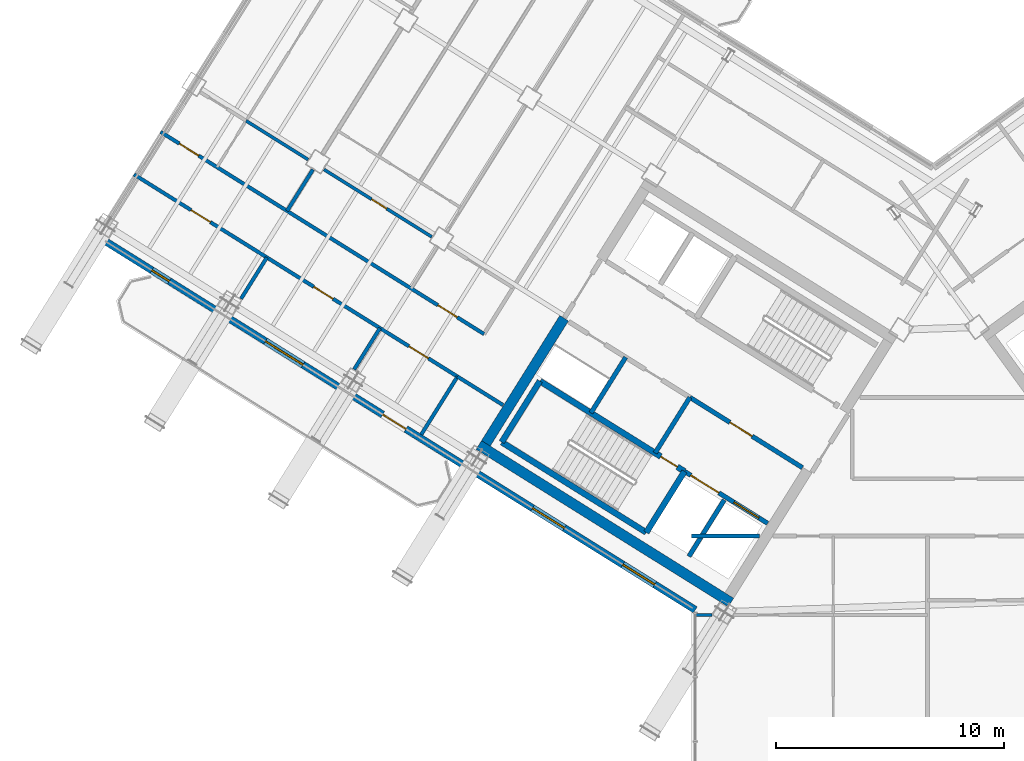
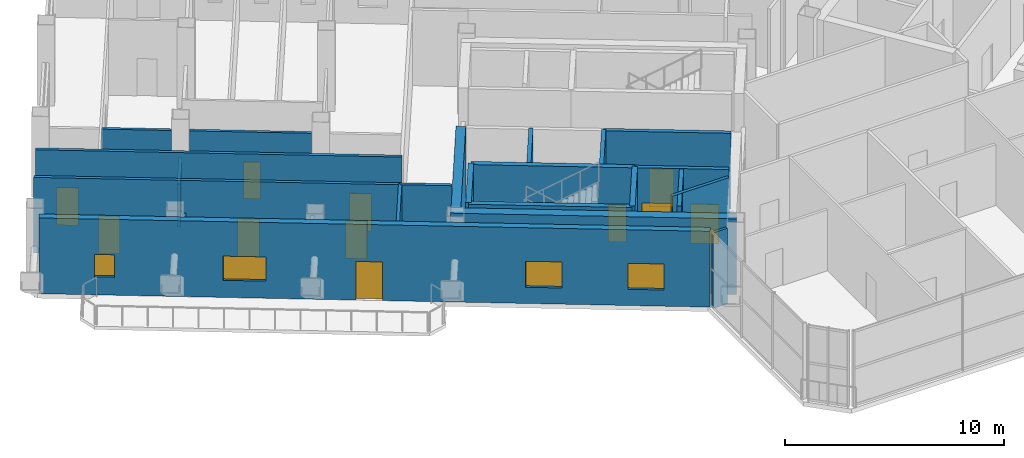
# One storey, part 22 of 34: 23 walls, 11 doors, 4 windows, 15 openings.
"""IFC4 building model written with IfcOpenShell, lengths in metres."""

from ifc_helpers import new_model, si_unit, direction, frame, frame_2d, origin, place, context, subcontext, project, spatial, rectangle, extrude, source, transform, mapped, material, layer, layer_set, type_object, element, fill, save


model = new_model("IFC4")

# Units and contexts
model_context = context("Model", 3, precision=1e-05, world=origin(), true_north=direction((0.0, 1.0)))
body_context = subcontext(model_context, "Body", "Model", "MODEL_VIEW")
ifc_project = project(units=[si_unit("LENGTHUNIT", "METRE"), si_unit("AREAUNIT", "SQUARE_METRE"), si_unit("VOLUMEUNIT", "CUBIC_METRE"), si_unit("PLANEANGLEUNIT", "RADIAN"), si_unit("MASSUNIT", "GRAM", prefix="KILO")], contexts=[model_context])

# Site, building, storey
site_placement = place(None, origin())
site = spatial("IfcSite", under=ifc_project, at=site_placement, CompositionType="ELEMENT")
building_placement = place(site_placement, origin())
building = spatial("IfcBuilding", under=site, at=building_placement, Name="Tlacorven Tower", CompositionType="ELEMENT")
storey_placement = place(building_placement, frame((0.0, 0.0, 229.199951171875)))
storey = spatial("IfcBuildingStorey", under=building, at=storey_placement, Name="L58", CompositionType="ELEMENT", Elevation=229.199951171875)

# Walls
ifc_material_1 = material(Name="Concrete C50/60", Category="concrete")
ifc_layer_1 = layer(ifc_material_1, 0.449951171875)
ifc_layer_set_1 = layer_set([ifc_layer_1], Name="Concrete C50/60")
wall_type_1 = type_object("IfcWallType", Name="WL-COR-450", PredefinedType="SHEAR", material=ifc_layer_set_1)
wall_1_placement = place(storey_placement, frame((33.32373046875, 12.5029296875, 0.0), z_axis=(0.0, 0.0, 1.0), x_axis=(-0.848043529849, 0.529926571782, 0.0)))
element("IfcWall", 1, at=wall_1_placement, inside=storey, type_object=wall_type_1, Name="L58 W core shear wall S2", PredefinedType="SHEAR", context=body_context, shape_type="SweptSolid", body=[
    extrude(rectangle(XDim=13.039794921875, YDim=0.449951171875, at=frame_2d((6.52001953125, 0.0))), origin(), (0.0, 0.0, 1.0), 4.219970703125),
])
wall_2_placement = place(storey_placement, frame((26.006591796875, 24.975830078125, 0.0), z_axis=(0.0, 0.0, 1.0), x_axis=(-0.529931155655, -0.848040665456, 0.0)))
element("IfcWall", 2, at=wall_2_placement, inside=storey, type_object=wall_type_1, Name="L58 W core end wall E2.2", PredefinedType="SHEAR", context=body_context, shape_type="SweptSolid", body=[
    extrude(rectangle(XDim=6.47509765625, YDim=0.449951171875, at=frame_2d((3.237548828125, 0.0))), origin(), (0.0, 0.0, 1.0), 4.219970703125),
])
ifc_material_2 = material(Name="Gypsum plasterboard acoustic partition", Category="gypsum")
ifc_layer_2 = layer(ifc_material_2, 0.159912109375)
ifc_layer_set_2 = layer_set([ifc_layer_2], Name="Gypsum plasterboard acoustic partition")
wall_type_2 = type_object("IfcWallType", Name="WL-DEM-160", PredefinedType="PARTITIONING", material=ifc_layer_set_2)
wall_3_placement = place(storey_placement, frame((23.32861328125, 21.166015625, 0.0), z_axis=(0.0, 0.0, 1.0), x_axis=(-0.848033204961, 0.529943094382, 0.0)))
element("IfcWall", 3, at=wall_3_placement, inside=storey, type_object=wall_type_2, Name="L58 partition 37", PredefinedType="PARTITIONING", context=body_context, shape_type="SweptSolid", body=[
    extrude(rectangle(XDim=2.35791015625, YDim=0.159912109375, at=frame_2d((1.178955078125, 0.0))), origin(), (0.0, 0.0, 1.0), 4.2099609375),
])
wall_4_placement = place(storey_placement, frame((21.3291015625, 22.41552734375, 0.0), z_axis=(0.0, 0.0, 1.0), x_axis=(-0.529933104572, -0.848039447596, 0.0)))
element("IfcWall", 4, at=wall_4_placement, inside=storey, type_object=wall_type_2, Name="L58 partition 39", PredefinedType="PARTITIONING", context=body_context, shape_type="SweptSolid", body=[
    extrude(rectangle(XDim=3.0, YDim=0.159912109375, at=frame_2d((1.5, 0.0))), origin(), (0.0, 0.0, 1.0), 4.2099609375),
])

# Wall, openings, doors
wall_5_placement = place(storey_placement, frame((22.494873046875, 24.28125, 0.0), z_axis=(0.0, 0.0, 1.0), x_axis=(-0.848052408131, 0.529912363569, 0.0)))
wall_5 = element("IfcWall", 5, at=wall_5_placement, inside=storey, type_object=wall_type_2, Name="L58 Wing W Corridor South Wall", PredefinedType="PARTITIONING", context=body_context, shape_type="SweptSolid", body=[
    extrude(rectangle(XDim=16.72998046875, YDim=0.159912109375, at=frame_2d((8.364990234375, 0.0))), origin(), (0.0, 0.0, 1.0), 4.2099609375),
])
opening_1_placement = place(wall_5_placement, frame((1.385009765625, 0.0, 0.0)))
opening_1 = element("IfcOpeningElement", 6, at=opening_1_placement, cuts=wall_5, Name="Opening D11", PredefinedType="OPENING", context=body_context, shape_type="SweptSolid", body=[
    extrude(rectangle(XDim=1.0, YDim=2.10009765625, at=frame_2d((0.5, 1.050048828125))), frame((0.0, 0.08984375, 0.0), z_axis=(0.0, -1.0, 0.0), x_axis=(1.0, 0.0, 0.0)), (0.0, 0.0, 1.0), 0.179931640625),
])
opening_2_placement = place(wall_5_placement, frame((14.760009765625, 0.0, 0.0)))
opening_2 = element("IfcOpeningElement", 7, at=opening_2_placement, cuts=wall_5, Name="Opening D11", PredefinedType="OPENING", context=body_context, shape_type="SweptSolid", body=[
    extrude(rectangle(XDim=1.0, YDim=2.10009765625, at=frame_2d((0.5, 1.050048828125))), frame((0.0, 0.08984375, 0.0), z_axis=(0.0, -1.0, 0.0), x_axis=(1.0, 0.0, 0.0)), (0.0, 0.0, 1.0), 0.179931640625),
])
ifc_material_3 = material(Name="Fire-rated steel door assembly", Category="steel")
door_type_1 = type_object("IfcDoorType", Name="DR-FLT-FD60-1000", OperationType="NOTDEFINED", PredefinedType="DOOR", material=ifc_material_3)
shared_shape_1 = source(origin(), body_context, "Body", "SweptSolid", [
    extrude(rectangle(XDim=1.0, YDim=2.10009765625, at=frame_2d((0.5, 1.050048828125))), frame((0.0, 0.02490234375, 0.0), z_axis=(0.0, -1.0, 0.0), x_axis=(1.0, 0.0, 0.0)), (0.0, 0.0, 1.0), 0.050048828125),
])
door_1_placement = place(opening_1_placement, origin())
door_1 = element("IfcDoor", 8, at=door_1_placement, inside=storey, type_object=door_type_1, Name="L58 door 024", OperationType="SINGLE_SWING_LEFT", OverallHeight=2.10009765625, OverallWidth=1.0, PredefinedType="DOOR", context=body_context, shape_type="MappedRepresentation", body=[
    mapped(shared_shape_1, transform((0.0, 0.0, 0.0), scale=1.0)),
])
fill(opening_1, door_1)
door_2_placement = place(opening_2_placement, origin())
door_2 = element("IfcDoor", 9, at=door_2_placement, inside=storey, type_object=door_type_1, Name="L58 door 032", OperationType="SINGLE_SWING_LEFT", OverallHeight=2.10009765625, OverallWidth=1.0, PredefinedType="DOOR", context=body_context, shape_type="MappedRepresentation", body=[
    mapped(shared_shape_1, transform((0.0, 0.0, 0.0), scale=1.0)),
])
fill(opening_2, door_2)

wall_6_placement = place(storey_placement, frame((21.3291015625, 22.41552734375, 0.0), z_axis=(0.0, 0.0, 1.0), x_axis=(-0.848052408131, 0.529912363569, 0.0)))
wall_6 = element("IfcWall", 10, at=wall_6_placement, inside=storey, type_object=wall_type_2, Name="L58 Wing W Corridor North Wall", PredefinedType="PARTITIONING", context=body_context, shape_type="SweptSolid", body=[
    extrude(rectangle(XDim=16.72998046875, YDim=0.159912109375, at=frame_2d((8.364990234375, 0.0))), origin(), (0.0, 0.0, 1.0), 4.2099609375),
])
opening_3_placement = place(wall_6_placement, frame((1.5048828125, 0.0, 0.0)))
opening_3 = element("IfcOpeningElement", 11, at=opening_3_placement, cuts=wall_6, Name="Opening D11", PredefinedType="OPENING", context=body_context, shape_type="SweptSolid", body=[
    extrude(rectangle(XDim=1.0, YDim=2.10009765625, at=frame_2d((0.5, 1.050048828125))), frame((0.0, 0.08984375, 0.0), z_axis=(0.0, -1.0, 0.0), x_axis=(1.0, 0.0, 0.0)), (0.0, 0.0, 1.0), 0.179931640625),
])
opening_4_placement = place(wall_6_placement, frame((6.4345703125, 0.0, 0.0)))
opening_4 = element("IfcOpeningElement", 12, at=opening_4_placement, cuts=wall_6, Name="Opening D11", PredefinedType="OPENING", context=body_context, shape_type="SweptSolid", body=[
    extrude(rectangle(XDim=1.0, YDim=2.10009765625, at=frame_2d((0.5, 1.050048828125))), frame((0.0, 0.08984375, 0.0), z_axis=(0.0, -1.0, 0.0), x_axis=(1.0, 0.0, 0.0)), (0.0, 0.0, 1.0), 0.179931640625),
])
opening_5_placement = place(wall_6_placement, frame((12.784423828125, 0.0, 0.0)))
opening_5 = element("IfcOpeningElement", 13, at=opening_5_placement, cuts=wall_6, Name="Opening D11", PredefinedType="OPENING", context=body_context, shape_type="SweptSolid", body=[
    extrude(rectangle(XDim=1.0, YDim=2.10009765625, at=frame_2d((0.5, 1.050048828125))), frame((0.0, 0.08984375, 0.0), z_axis=(0.0, -1.0, 0.0), x_axis=(1.0, 0.0, 0.0)), (0.0, 0.0, 1.0), 0.179931640625),
])
door_3_placement = place(opening_3_placement, origin())
door_3 = element("IfcDoor", 14, at=door_3_placement, inside=storey, type_object=door_type_1, Name="L58 door 020", OperationType="SINGLE_SWING_LEFT", OverallHeight=2.10009765625, OverallWidth=1.0, PredefinedType="DOOR", context=body_context, shape_type="MappedRepresentation", body=[
    mapped(shared_shape_1, transform((0.0, 0.0, 0.0), scale=1.0)),
])
fill(opening_3, door_3)
door_4_placement = place(opening_4_placement, origin())
door_4 = element("IfcDoor", 15, at=door_4_placement, inside=storey, type_object=door_type_1, Name="L58 door 021", OperationType="SINGLE_SWING_RIGHT", OverallHeight=2.10009765625, OverallWidth=1.0, PredefinedType="DOOR", context=body_context, shape_type="MappedRepresentation", body=[
    mapped(shared_shape_1, transform((0.0, 0.0, 0.0), scale=1.0)),
])
fill(opening_4, door_4)
door_5_placement = place(opening_5_placement, origin())
door_5 = element("IfcDoor", 16, at=door_5_placement, inside=storey, type_object=door_type_1, Name="L58 door 022", OperationType="SINGLE_SWING_LEFT", OverallHeight=2.10009765625, OverallWidth=1.0, PredefinedType="DOOR", context=body_context, shape_type="MappedRepresentation", body=[
    mapped(shared_shape_1, transform((0.0, 0.0, 0.0), scale=1.0)),
])
fill(opening_5, door_5)

# Walls
wall_7_placement = place(storey_placement, frame((17.92822265625, 24.54052734375, 0.0), z_axis=(0.0, 0.0, 1.0), x_axis=(-0.529844966244, -0.848094518167, 0.0)))
element("IfcWall", 17, at=wall_7_placement, inside=storey, type_object=wall_type_2, Name="L58 partition 42", PredefinedType="PARTITIONING", context=body_context, shape_type="SweptSolid", body=[
    extrude(rectangle(XDim=2.137939453125, YDim=0.159912109375, at=frame_2d((1.06884765625, 0.0))), origin(), (0.0, 0.0, 1.0), 2.39501953125),
])
for number, where, z_axis, x_axis, name in (
    (18, (12.968017578125, 27.639892578125, 0.0), (0.0, 0.0, 1.0), (-0.52989628283, -0.848062456098, 0.0), "L58 partition 43"),
    (19, (14.986083984375, 31.494140625, 0.0), (0.0, 0.0, 1.0), (-0.52989628283, -0.848062456098, 0.0), "L58 WS Demising Wall 1"),
):
    element("IfcWall", number, at=place(storey_placement, frame(where, z_axis=z_axis, x_axis=x_axis)), inside=storey, type_object=wall_type_2, Name=name, PredefinedType="PARTITIONING", context=body_context, shape_type="SweptSolid", body=[
        extrude(rectangle(XDim=2.1376953125, YDim=0.159912109375, at=frame_2d((1.06884765625, 0.0))), origin(), (0.0, 0.0, 1.0), 2.39501953125),
    ])
wall_8_placement = place(storey_placement, frame((31.60009765625, 15.419921875, 0.0), z_axis=(0.0, 0.0, 1.0), x_axis=(1.0, 0.0, 0.0)))
element("IfcWall", 20, at=wall_8_placement, inside=storey, type_object=wall_type_2, Name="L58 Knuckle Corridor South Wall", PredefinedType="PARTITIONING", context=body_context, shape_type="SweptSolid", body=[
    extrude(rectangle(XDim=2.984130859375, YDim=0.159912109375, at=frame_2d((1.4921875, 0.0))), origin(), (0.0, 0.0, 1.0), 4.2099609375),
])

# Wall, openings, door, windows
ifc_material_4 = material(Name="Precast concrete C45/55", Category="concrete")
ifc_layer_3 = layer(ifc_material_4, 0.320068359375)
ifc_layer_set_3 = layer_set([ifc_layer_3], Name="Precast concrete C45/55")
wall_type_3 = type_object("IfcWallType", Name="WL-EXT-320", PredefinedType="STANDARD", material=ifc_layer_set_3)
wall_9_placement = place(storey_placement, frame((31.760009765625, 12.18310546875, 0.0), z_axis=(0.0, 0.0, 1.0), x_axis=(-0.848047074256, 0.529920899612, 0.0)))
wall_9 = element("IfcWall", 21, at=wall_9_placement, inside=storey, type_object=wall_type_3, Name="L58 Masonry-Frame Recessed Facade Wall 1", PredefinedType="STANDARD", context=body_context, shape_type="SweptSolid", body=[
    extrude(rectangle(XDim=30.652099609375, YDim=0.320068359375, at=frame_2d((15.326171875, 0.0))), origin(), (0.0, 0.0, 1.0), 4.219970703125),
])
opening_6_placement = place(wall_9_placement, frame((14.9658203125, 0.0, 0.0)))
opening_6 = element("IfcOpeningElement", 22, at=opening_6_placement, cuts=wall_9, Name="Opening D05", PredefinedType="OPENING", context=body_context, shape_type="SweptSolid", body=[
    extrude(rectangle(XDim=1.199951171875, YDim=2.14990234375, at=frame_2d((0.60009765625, 1.074951171875))), frame((0.0, 0.169921875, 0.0), z_axis=(0.0, -1.0, 0.0), x_axis=(1.0, 0.0, 0.0)), (0.0, 0.0, 1.0), 0.340087890625),
])
opening_7_placement = place(wall_9_placement, frame((2.095703125, 0.0, 0.89990234375)))
opening_7 = element("IfcOpeningElement", 23, at=opening_7_placement, cuts=wall_9, Name="Opening WN07", PredefinedType="OPENING", context=body_context, shape_type="SweptSolid", body=[
    extrude(rectangle(XDim=1.64990234375, YDim=1.449951171875, at=frame_2d((0.824951171875, 0.72509765625))), frame((0.0, 0.169921875, 0.0), z_axis=(0.0, -1.0, 0.0), x_axis=(1.0, 0.0, 0.0)), (0.0, 0.0, 1.0), 0.340087890625),
])
opening_8_placement = place(wall_9_placement, frame((6.770751953125, 0.0, 0.89990234375)))
opening_8 = element("IfcOpeningElement", 24, at=opening_8_placement, cuts=wall_9, Name="Opening WN07", PredefinedType="OPENING", context=body_context, shape_type="SweptSolid", body=[
    extrude(rectangle(XDim=1.64990234375, YDim=1.449951171875, at=frame_2d((0.824951171875, 0.72509765625))), frame((0.0, 0.169921875, 0.0), z_axis=(0.0, -1.0, 0.0), x_axis=(1.0, 0.0, 0.0)), (0.0, 0.0, 1.0), 0.340087890625),
])
opening_9_placement = place(wall_9_placement, frame((20.283203125, 0.0, 0.949951171875)))
opening_9 = element("IfcOpeningElement", 25, at=opening_9_placement, cuts=wall_9, Name="Opening WN09", PredefinedType="OPENING", context=body_context, shape_type="SweptSolid", body=[
    extrude(rectangle(XDim=1.949951171875, YDim=1.35009765625, at=frame_2d((0.97509765625, 0.675048828125))), frame((0.0, 0.169921875, 0.0), z_axis=(0.0, -1.0, 0.0), x_axis=(1.0, 0.0, 0.0)), (0.0, 0.0, 1.0), 0.340087890625),
])
opening_10_placement = place(wall_9_placement, frame((27.208251953125, 0.0, 1.0)))
opening_10 = element("IfcOpeningElement", 26, at=opening_10_placement, cuts=wall_9, Name="Opening WN05", PredefinedType="OPENING", context=body_context, shape_type="SweptSolid", body=[
    extrude(rectangle(XDim=0.89990234375, YDim=1.25, at=frame_2d((0.449951171875, 0.625))), frame((0.0, 0.169921875, 0.0), z_axis=(0.0, -1.0, 0.0), x_axis=(1.0, 0.0, 0.0)), (0.0, 0.0, 1.0), 0.340087890625),
])
ifc_material_5 = material(Name="Powder-coated aluminium and timber door", Category="wood")
door_type_2 = type_object("IfcDoorType", Name="DR-EXT-BALC-1200", OperationType="NOTDEFINED", PredefinedType="DOOR", material=ifc_material_5)
shared_shape_2 = source(origin(), body_context, "Body", "SweptSolid", [
    extrude(rectangle(XDim=1.199951171875, YDim=2.14990234375, at=frame_2d((0.60009765625, 1.074951171875))), frame((0.0, 0.02490234375, 0.0), z_axis=(0.0, -1.0, 0.0), x_axis=(1.0, 0.0, 0.0)), (0.0, 0.0, 1.0), 0.050048828125),
])
door_6_placement = place(opening_6_placement, origin())
door_6 = element("IfcDoor", 27, at=door_6_placement, inside=storey, type_object=door_type_2, Name="L58 Outdoor Access Door BAL-L58-W-OUT", OperationType="SINGLE_SWING_LEFT", OverallHeight=2.14990234375, OverallWidth=1.199951171875, PredefinedType="DOOR", context=body_context, shape_type="MappedRepresentation", body=[
    mapped(shared_shape_2, transform((0.0, 0.0, 0.0), scale=1.0)),
])
fill(opening_6, door_6)
ifc_material_6 = material(Name="Dark solar low-E double glazing in anodised aluminium frame", Category="aluminium")
window_type_1 = type_object("IfcWindowType", Name="WN-APT-0900X1350", PartitioningType="SINGLE_PANEL", PredefinedType="WINDOW", material=ifc_material_6)
shared_shape_3 = source(origin(), body_context, "Body", "SweptSolid", [
    extrude(rectangle(XDim=0.89990234375, YDim=1.25, at=frame_2d((0.449951171875, 0.625))), frame((0.0, 0.030029296875, 0.0), z_axis=(0.0, -1.0, 0.0), x_axis=(1.0, 0.0, 0.0)), (0.0, 0.0, 1.0), 0.06005859375),
])
window_1_placement = place(opening_10_placement, origin())
window_1 = element("IfcWindow", 28, at=window_1_placement, inside=storey, type_object=window_type_1, Name="L58 Recessed Masonry-Frame Window L58-01.4", OverallHeight=1.25, OverallWidth=0.89990234375, PartitioningType="SINGLE_PANEL", PredefinedType="WINDOW", context=body_context, shape_type="MappedRepresentation", body=[
    mapped(shared_shape_3, transform((0.0, 0.0, 0.0), scale=1.0)),
])
fill(opening_10, window_1)
window_type_2 = type_object("IfcWindowType", Name="WN-APT-1650X1600", PartitioningType="SINGLE_PANEL", PredefinedType="WINDOW", material=ifc_material_6)
shared_shape_4 = source(origin(), body_context, "Body", "SweptSolid", [
    extrude(rectangle(XDim=1.64990234375, YDim=1.449951171875, at=frame_2d((0.824951171875, 0.72509765625))), frame((0.0, 0.030029296875, 0.0), z_axis=(0.0, -1.0, 0.0), x_axis=(1.0, 0.0, 0.0)), (0.0, 0.0, 1.0), 0.06005859375),
])
window_2_placement = place(opening_7_placement, origin())
window_2 = element("IfcWindow", 29, at=window_2_placement, inside=storey, type_object=window_type_2, Name="L58 Recessed Masonry-Frame Window L58-01.1", OverallHeight=1.449951171875, OverallWidth=1.64990234375, PartitioningType="SINGLE_PANEL", PredefinedType="WINDOW", context=body_context, shape_type="MappedRepresentation", body=[
    mapped(shared_shape_4, transform((0.0, 0.0, 0.0), scale=1.0)),
])
fill(opening_7, window_2)
window_3_placement = place(opening_8_placement, origin())
window_3 = element("IfcWindow", 30, at=window_3_placement, inside=storey, type_object=window_type_2, Name="L58 Recessed Masonry-Frame Window L58-01.2", OverallHeight=1.449951171875, OverallWidth=1.64990234375, PartitioningType="SINGLE_PANEL", PredefinedType="WINDOW", context=body_context, shape_type="MappedRepresentation", body=[
    mapped(shared_shape_4, transform((0.0, 0.0, 0.0), scale=1.0)),
])
fill(opening_8, window_3)
window_type_3 = type_object("IfcWindowType", Name="WN-GAL-1950X1450", PartitioningType="SINGLE_PANEL", PredefinedType="WINDOW", material=ifc_material_6)
shared_shape_5 = source(origin(), body_context, "Body", "SweptSolid", [
    extrude(rectangle(XDim=1.949951171875, YDim=1.35009765625, at=frame_2d((0.97509765625, 0.675048828125))), frame((0.0, 0.030029296875, 0.0), z_axis=(0.0, -1.0, 0.0), x_axis=(1.0, 0.0, 0.0)), (0.0, 0.0, 1.0), 0.06005859375),
])
window_4_placement = place(opening_9_placement, origin())
window_4 = element("IfcWindow", 31, at=window_4_placement, inside=storey, type_object=window_type_3, Name="L58 Recessed Masonry-Frame Window L58-01.3", OverallHeight=1.35009765625, OverallWidth=1.949951171875, PartitioningType="SINGLE_PANEL", PredefinedType="WINDOW", context=body_context, shape_type="MappedRepresentation", body=[
    mapped(shared_shape_5, transform((0.0, 0.0, 0.0), scale=1.0)),
])
fill(opening_9, window_4)

# Wall, opening, door
ifc_material_7 = material(Name="Moisture-resistant gypsum plumbing wall", Category="gypsum")
ifc_layer_4 = layer(ifc_material_7, 0.139892578125)
ifc_layer_set_4 = layer_set([ifc_layer_4], Name="Moisture-resistant gypsum plumbing wall")
wall_type_4 = type_object("IfcWallType", Name="WL-PLM-140", PredefinedType="PLUMBINGWALL", material=ifc_layer_set_4)
wall_10_placement = place(storey_placement, frame((20.203125, 28.543212890625, 0.0), z_axis=(0.0, 0.0, 1.0), x_axis=(-0.848049955116, 0.529916289265, 0.0)))
wall_10 = element("IfcWall", 32, at=wall_10_placement, inside=storey, type_object=wall_type_4, Name="L58 partition 48", PredefinedType="PLUMBINGWALL", context=body_context, shape_type="SweptSolid", body=[
    extrude(rectangle(XDim=5.575927734375, YDim=0.139892578125, at=frame_2d((2.7880859375, 0.0))), origin(), (0.0, 0.0, 1.0), 3.7451171875),
])
opening_11_placement = place(wall_10_placement, frame((2.337890625, 0.0, 0.0)))
opening_11 = element("IfcOpeningElement", 33, at=opening_11_placement, cuts=wall_10, Name="Opening D22", PredefinedType="OPENING", context=body_context, shape_type="SweptSolid", body=[
    extrude(rectangle(XDim=0.780029296875, YDim=2.050048828125, at=frame_2d((0.39013671875, 1.02490234375))), frame((0.0, 0.080078125, 0.0), z_axis=(0.0, -1.0, 0.0), x_axis=(1.0, 0.0, 0.0)), (0.0, 0.0, 1.0), 0.159912109375),
])
door_type_3 = type_object("IfcDoorType", Name="DR-INT-WET-0780", OperationType="NOTDEFINED", PredefinedType="DOOR", material=ifc_material_5)
shared_shape_6 = source(origin(), body_context, "Body", "SweptSolid", [
    extrude(rectangle(XDim=0.780029296875, YDim=2.050048828125, at=frame_2d((0.39013671875, 1.02490234375))), frame((0.0, 0.02490234375, 0.0), z_axis=(0.0, -1.0, 0.0), x_axis=(1.0, 0.0, 0.0)), (0.0, 0.0, 1.0), 0.050048828125),
])
door_7_placement = place(opening_11_placement, origin())
door_7 = element("IfcDoor", 34, at=door_7_placement, inside=storey, type_object=door_type_3, Name="L58 door 027", OperationType="SINGLE_SWING_RIGHT", OverallHeight=2.050048828125, OverallWidth=0.780029296875, PredefinedType="DOOR", context=body_context, shape_type="MappedRepresentation", body=[
    mapped(shared_shape_6, transform((0.0, 0.0, 0.0), scale=1.0)),
])
fill(opening_11, door_7)

# Walls
wall_11_placement = place(storey_placement, frame((14.775634765625, 31.9345703125, 0.0), z_axis=(0.0, 0.0, 1.0), x_axis=(-0.848011130036, 0.529978417802, 0.0)))
element("IfcWall", 35, at=wall_11_placement, inside=storey, type_object=wall_type_4, Name="L58 partition 55", PredefinedType="PLUMBINGWALL", context=body_context, shape_type="SweptSolid", body=[
    extrude(rectangle(XDim=3.2080078125, YDim=0.139892578125, at=frame_2d((1.60400390625, 0.0))), origin(), (0.0, 0.0, 1.0), 3.7451171875),
])
wall_12_placement = place(storey_placement, frame((31.739990234375, 11.949951171875, 0.0), z_axis=(0.0, 0.0, 1.0), x_axis=(1.0, 0.0, 0.0)))
element("IfcWall", 36, at=wall_12_placement, inside=storey, type_object=wall_type_4, Name="L58 partition 70", PredefinedType="PLUMBINGWALL", context=body_context, shape_type="SweptSolid", body=[
    extrude(rectangle(XDim=0.747802734375, YDim=0.139892578125, at=frame_2d((0.3740234375, 0.0))), origin(), (0.0, 0.0, 1.0), 4.2099609375),
])

# Wall, openings, doors
ifc_material_8 = material(Name="Concrete C40/50", Category="concrete")
ifc_layer_5 = layer(ifc_material_8, 0.199951171875)
ifc_layer_set_5 = layer_set([ifc_layer_5], Name="Concrete C40/50")
wall_type_5 = type_object("IfcWallType", Name="WL-SHF-200", PredefinedType="STANDARD", material=ifc_layer_set_5)
wall_13_placement = place(storey_placement, frame((34.93310546875, 15.978271484375, 0.0), z_axis=(0.0, 0.0, 1.0), x_axis=(-0.848055739377, 0.529907032327, 0.0)))
wall_13 = element("IfcWall", 37, at=wall_13_placement, inside=storey, type_object=wall_type_5, Name="L58 Core W Firefighting Lift Shaft Front Wall", PredefinedType="STANDARD", context=body_context, shape_type="SweptSolid", body=[
    extrude(rectangle(XDim=4.298095703125, YDim=0.199951171875, at=frame_2d((2.14892578125, 0.0))), origin(), (0.0, 0.0, 1.0), 4.2099609375),
])
opening_12_placement = place(wall_13_placement, frame((0.447998046875, 0.0, 0.0)))
opening_12 = element("IfcOpeningElement", 38, at=opening_12_placement, cuts=wall_13, Name="Opening LD03", PredefinedType="OPENING", context=body_context, shape_type="SweptSolid", body=[
    extrude(rectangle(XDim=1.300048828125, YDim=2.199951171875, at=frame_2d((0.64990234375, 1.10009765625))), frame((0.0, 0.10986328125, 0.0), z_axis=(0.0, -1.0, 0.0), x_axis=(1.0, 0.0, 0.0)), (0.0, 0.0, 1.0), 0.219970703125),
])
opening_13_placement = place(wall_13_placement, frame((2.52294921875, 0.0, 0.0)))
opening_13 = element("IfcOpeningElement", 39, at=opening_13_placement, cuts=wall_13, Name="Opening LD04", PredefinedType="OPENING", context=body_context, shape_type="SweptSolid", body=[
    extrude(rectangle(XDim=1.449951171875, YDim=2.25, at=frame_2d((0.72509765625, 1.125))), frame((0.0, 0.10986328125, 0.0), z_axis=(0.0, -1.0, 0.0), x_axis=(1.0, 0.0, 0.0)), (0.0, 0.0, 1.0), 0.219970703125),
])
door_type_4 = type_object("IfcDoorType", Name="DR-LFT-SLID-1300", OperationType="DOUBLE_DOOR_SLIDING", PredefinedType="DOOR", material=ifc_material_3)
shared_shape_7 = source(origin(), body_context, "Body", "SweptSolid", [
    extrude(rectangle(XDim=1.300048828125, YDim=2.199951171875, at=frame_2d((0.64990234375, 1.10009765625))), frame((0.0, 0.02490234375, 0.0), z_axis=(0.0, -1.0, 0.0), x_axis=(1.0, 0.0, 0.0)), (0.0, 0.0, 1.0), 0.050048828125),
])
door_8_placement = place(opening_12_placement, origin())
door_8 = element("IfcDoor", 40, at=door_8_placement, inside=storey, type_object=door_type_4, Name="L58 Lift FFL-W1 Sliding Landing Door", OperationType="DOUBLE_DOOR_SLIDING", OverallHeight=2.199951171875, OverallWidth=1.300048828125, PredefinedType="DOOR", context=body_context, shape_type="MappedRepresentation", body=[
    mapped(shared_shape_7, transform((0.0, 0.0, 0.0), scale=1.0)),
])
fill(opening_12, door_8)
door_type_5 = type_object("IfcDoorType", Name="DR-LFT-SLID-1450", OperationType="DOUBLE_DOOR_SLIDING", PredefinedType="DOOR", material=ifc_material_3)
shared_shape_8 = source(origin(), body_context, "Body", "SweptSolid", [
    extrude(rectangle(XDim=1.449951171875, YDim=2.25, at=frame_2d((0.72509765625, 1.125))), frame((0.0, 0.02490234375, 0.0), z_axis=(0.0, -1.0, 0.0), x_axis=(1.0, 0.0, 0.0)), (0.0, 0.0, 1.0), 0.050048828125),
])
door_9_placement = place(opening_13_placement, origin())
door_9 = element("IfcDoor", 41, at=door_9_placement, inside=storey, type_object=door_type_5, Name="L58 Lift SVL-W1 Sliding Landing Door", OperationType="DOUBLE_DOOR_SLIDING", OverallHeight=2.25, OverallWidth=1.449951171875, PredefinedType="DOOR", context=body_context, shape_type="MappedRepresentation", body=[
    mapped(shared_shape_8, transform((0.0, 0.0, 0.0), scale=1.0)),
])
fill(opening_13, door_9)

# Wall, opening, door
wall_14_placement = place(storey_placement, frame((36.459228515625, 18.420654296875, 0.0), z_axis=(0.0, 0.0, 1.0), x_axis=(-0.848059591691, 0.529900867089, 0.0)))
wall_14 = element("IfcWall", 42, at=wall_14_placement, inside=storey, type_object=wall_type_5, Name="L58 Core W Smoke Lobby Wall", PredefinedType="STANDARD", context=body_context, shape_type="SweptSolid", body=[
    extrude(rectangle(XDim=5.818115234375, YDim=0.199951171875, at=frame_2d((2.9091796875, 0.0))), origin(), (0.0, 0.0, 1.0), 4.2099609375),
])
opening_14_placement = place(wall_14_placement, frame((2.597900390625, 0.0, 0.0)))
opening_14 = element("IfcOpeningElement", 43, at=opening_14_placement, cuts=wall_14, Name="Opening D09", PredefinedType="OPENING", context=body_context, shape_type="SweptSolid", body=[
    extrude(rectangle(XDim=1.14990234375, YDim=2.10009765625, at=frame_2d((0.574951171875, 1.050048828125))), frame((0.0, 0.10986328125, 0.0), z_axis=(0.0, -1.0, 0.0), x_axis=(1.0, 0.0, 0.0)), (0.0, 0.0, 1.0), 0.219970703125),
])
door_type_6 = type_object("IfcDoorType", Name="DR-FFL-FD60-1150", OperationType="NOTDEFINED", PredefinedType="DOOR", material=ifc_material_3)
shared_shape_9 = source(origin(), body_context, "Body", "SweptSolid", [
    extrude(rectangle(XDim=1.14990234375, YDim=2.10009765625, at=frame_2d((0.574951171875, 1.050048828125))), frame((0.0, 0.02490234375, 0.0), z_axis=(0.0, -1.0, 0.0), x_axis=(1.0, 0.0, 0.0)), (0.0, 0.0, 1.0), 0.050048828125),
])
door_10_placement = place(opening_14_placement, origin())
door_10 = element("IfcDoor", 44, at=door_10_placement, inside=storey, type_object=door_type_6, Name="L58 Firefighting Lobby W Fire Door", OperationType="SINGLE_SWING_RIGHT", OverallHeight=2.10009765625, OverallWidth=1.14990234375, PredefinedType="DOOR", context=body_context, shape_type="MappedRepresentation", body=[
    mapped(shared_shape_9, transform((0.0, 0.0, 0.0), scale=1.0)),
])
fill(opening_14, door_10)

# Walls
wall_15_placement = place(storey_placement, frame((33.02880859375, 17.003173828125, 0.0), z_axis=(0.0, 0.0, 1.0), x_axis=(-0.529916267533, -0.848049968695, 0.0)))
element("IfcWall", 45, at=wall_15_placement, inside=storey, type_object=wall_type_5, Name="L58 partition 11", PredefinedType="STANDARD", context=body_context, shape_type="SweptSolid", body=[
    extrude(rectangle(XDim=2.919921875, YDim=0.199951171875, at=frame_2d((1.4599609375, 0.0))), origin(), (0.0, 0.0, 1.0), 4.2099609375),
])
for number, where, z_axis, x_axis, name in (
    (46, (31.525146484375, 21.503662109375, 0.0), (0.0, 0.0, 1.0), (-0.529907497854, -0.848055448493, 0.0), "L58 partition 15"),
    (47, (28.709716796875, 23.26318359375, 0.0), (0.0, 0.0, 1.0), (-0.529907497854, -0.848055448493, 0.0), "L58 partition 16"),
):
    element("IfcWall", number, at=place(storey_placement, frame(where, z_axis=z_axis, x_axis=x_axis)), inside=storey, type_object=wall_type_5, Name=name, PredefinedType="STANDARD", context=body_context, shape_type="SweptSolid", body=[
        extrude(rectangle(XDim=2.8798828125, YDim=0.199951171875, at=frame_2d((1.43994140625, 0.0))), origin(), (0.0, 0.0, 1.0), 4.2099609375),
    ])
ifc_layer_6 = layer(ifc_material_1, 0.260009765625)
ifc_layer_set_6 = layer_set([ifc_layer_6], Name="Concrete C50/60")
wall_type_6 = type_object("IfcWallType", Name="WL-STW-260", PredefinedType="SHEAR", material=ifc_layer_set_6)
wall_16_placement = place(storey_placement, frame((29.60498046875, 15.581298828125, 0.0), z_axis=(0.0, 0.0, 1.0), x_axis=(-0.848036911448, 0.529937163087, 0.0)))
element("IfcWall", 48, at=wall_16_placement, inside=storey, type_object=wall_type_6, Name="L58 Stair W1 Far Shear Wall", PredefinedType="SHEAR", context=body_context, shape_type="SweptSolid", body=[
    extrude(rectangle(XDim=7.4599609375, YDim=0.260009765625, at=frame_2d((3.72998046875, 0.0))), origin(), (0.0, 0.0, 1.0), 4.219970703125),
])

# Wall, opening, door
wall_17_placement = place(storey_placement, frame((31.279541015625, 18.26123046875, 0.0), z_axis=(0.0, 0.0, 1.0), x_axis=(-0.848051618787, 0.529913626805, 0.0)))
wall_17 = element("IfcWall", 49, at=wall_17_placement, inside=storey, type_object=wall_type_6, Name="L58 Stair W1 Lobby Shear Wall", PredefinedType="SHEAR", context=body_context, shape_type="SweptSolid", body=[
    extrude(rectangle(XDim=7.4599609375, YDim=0.260009765625, at=frame_2d((3.72998046875, 0.0))), origin(), (0.0, 0.0, 1.0), 4.219970703125),
])
opening_15_placement = place(wall_17_placement, frame((0.360107421875, 0.0, 0.0)))
opening_15 = element("IfcOpeningElement", 50, at=opening_15_placement, cuts=wall_17, Name="Opening D19", PredefinedType="OPENING", context=body_context, shape_type="SweptSolid", body=[
    extrude(rectangle(XDim=0.860107421875, YDim=2.050048828125, at=frame_2d((0.43017578125, 1.02490234375))), frame((0.0, 0.14013671875, 0.0), z_axis=(0.0, -1.0, 0.0), x_axis=(1.0, 0.0, 0.0)), (0.0, 0.0, 1.0), 0.280029296875),
])
door_type_7 = type_object("IfcDoorType", Name="DR-RSR-FD60-0860", OperationType="NOTDEFINED", PredefinedType="DOOR", material=ifc_material_3)
shared_shape_10 = source(origin(), body_context, "Body", "SweptSolid", [
    extrude(rectangle(XDim=0.860107421875, YDim=2.050048828125, at=frame_2d((0.43017578125, 1.02490234375))), frame((0.0, 0.02490234375, 0.0), z_axis=(0.0, -1.0, 0.0), x_axis=(1.0, 0.0, 0.0)), (0.0, 0.0, 1.0), 0.050048828125),
])
door_11_placement = place(opening_15_placement, frame((0.860107421875, 0.0, 0.0), z_axis=(0.0, 0.0, 1.0), x_axis=(-1.0, 0.0, 0.0)))
door_11 = element("IfcDoor", 51, at=door_11_placement, inside=storey, type_object=door_type_7, Name="L58 Exit Stair W1 Fire Door", OperationType="SINGLE_SWING_LEFT", OverallHeight=2.050048828125, OverallWidth=0.860107421875, PredefinedType="DOOR", context=body_context, shape_type="MappedRepresentation", body=[
    mapped(shared_shape_10, transform((0.0, 0.0, 0.0), scale=1.0)),
])
fill(opening_15, door_11)

# Walls
wall_18_placement = place(storey_placement, frame((31.2880859375, 18.255859375, 0.0), z_axis=(0.0, 0.0, 1.0), x_axis=(-0.529943379326, -0.848033026897, 0.0)))
element("IfcWall", 52, at=wall_18_placement, inside=storey, type_object=wall_type_6, Name="L58 Stair W1 West Shear Wall", PredefinedType="SHEAR", context=body_context, shape_type="SweptSolid", body=[
    extrude(rectangle(XDim=3.159912109375, YDim=0.260009765625, at=frame_2d((1.580078125, 0.0))), origin(), (0.0, 0.0, 1.0), 4.219970703125),
])
wall_19_placement = place(storey_placement, frame((24.944580078125, 22.2197265625, 0.0), z_axis=(0.0, 0.0, 1.0), x_axis=(-0.529908658664, -0.84805472316, 0.0)))
element("IfcWall", 53, at=wall_19_placement, inside=storey, type_object=wall_type_6, Name="L58 Stair W1 East Shear Wall", PredefinedType="SHEAR", context=body_context, shape_type="SweptSolid", body=[
    extrude(rectangle(XDim=3.16015625, YDim=0.260009765625, at=frame_2d((1.580078125, 0.0))), origin(), (0.0, 0.0, 1.0), 4.219970703125),
])

save(model, "model.ifc")
